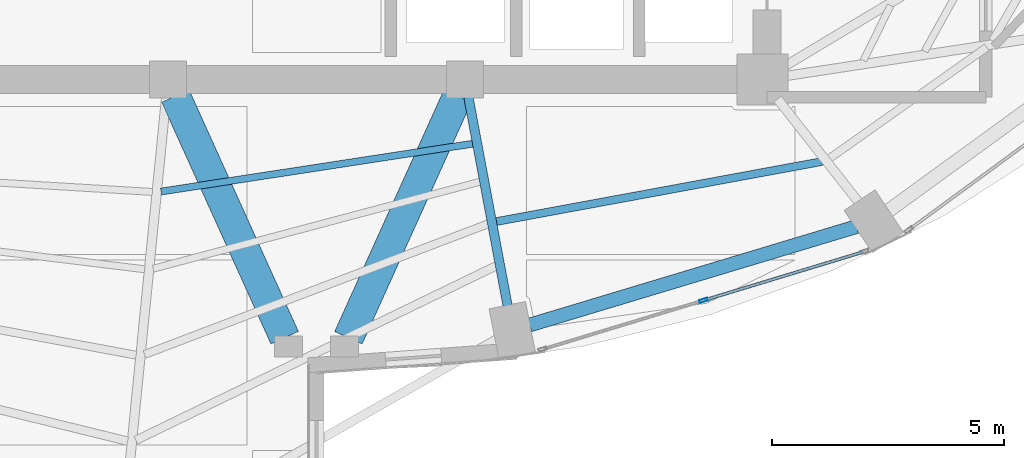
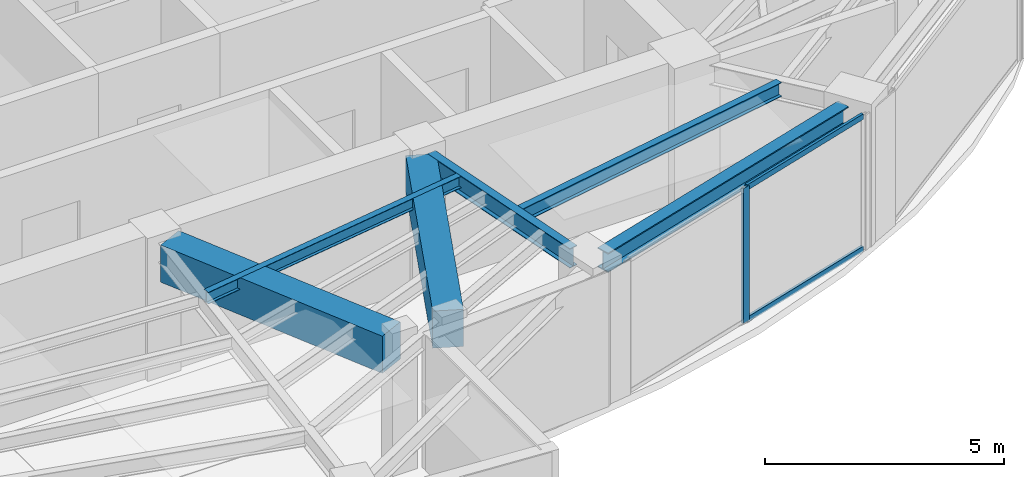
# One storey, part 7 of 22: 6 beams, 3 members, 1 element without a shape of its own.
"""IFC4 building model written with IfcOpenShell, lengths in metres."""

from ifc_helpers import new_model, si_unit, direction, frame, origin, origin_2d, place, context, subcontext, project, spatial, rectangle, hollow_rectangle, i_section, extrude, material, layer, layer_set, material_profile, profile_set, type_object, element, aggregate, save


model = new_model("IFC4")

# Units and contexts
model_context = context("Model", 3, precision=1e-05, world=origin(), true_north=direction((0.0, 1.0)))
body_context = subcontext(model_context, "Body", "Model", "MODEL_VIEW")
ifc_project = project(units=[si_unit("LENGTHUNIT", "METRE"), si_unit("AREAUNIT", "SQUARE_METRE"), si_unit("VOLUMEUNIT", "CUBIC_METRE"), si_unit("PLANEANGLEUNIT", "RADIAN"), si_unit("MASSUNIT", "GRAM", prefix="KILO")], contexts=[model_context])

# Site, building, storey
site_placement = place(None, origin())
site = spatial("IfcSite", under=ifc_project, at=site_placement, CompositionType="ELEMENT")
building_placement = place(site_placement, origin())
building = spatial("IfcBuilding", under=site, at=building_placement, Name="Lazwardi Medical Tower", CompositionType="ELEMENT")
storey_placement = place(building_placement, frame((0.0, 0.0, 227.6640625)))
storey = spatial("IfcBuildingStorey", under=building, at=storey_placement, Name="L59", CompositionType="ELEMENT", Elevation=227.6640625)

# Beams
ifc_material_1 = material(Name="Concrete C60/75", Category="concrete")
ifc_material_profile_1 = material_profile(ifc_material_1, rectangle(XDim=0.64990234375, YDim=0.949951171875, at=origin_2d()), Name="RC 650x950")
ifc_profile_set_1 = profile_set([ifc_material_profile_1], Name="Concrete C60/75")
beam_type_1 = type_object("IfcBeamType", Name="BM-CB-RC2", PredefinedType="LINTEL", material=ifc_profile_set_1)
for number, where, z_axis, x_axis, name in (
    (1, (32.95849609375, 20.04931640625, 2.972900390625), (0.412019279944, -0.911175127489, 0.0), (0.911175127489, 0.412019279944, 0.0), "Core coupling lintel CB-02 PL3 L59"),
    (2, (39.04150390625, 20.04931640625, 2.972900390625), (-0.412019279944, -0.911175127489, 0.0), (0.911175127489, -0.412019279944, 0.0), "Core coupling lintel CB-02 PL4 L59"),
):
    element("IfcBeam", number, at=place(storey_placement, frame(where, z_axis=z_axis, x_axis=x_axis)), inside=storey, type_object=beam_type_1, Name=name, PredefinedType="LINTEL", context=body_context, shape_type="SweptSolid", body=[
        extrude(rectangle(XDim=0.64990234375, YDim=0.949951171875, at=origin_2d()), origin(), (0.0, 0.0, 1.0), 5.7158203125),
    ])
ifc_material_2 = material(Name="Steel S355", Category="steel")
ifc_material_profile_2 = material_profile(ifc_material_2, i_section(OverallWidth=0.300048828125, OverallDepth=0.5, WebThickness=0.014404296875, FlangeThickness=0.028076171875, at=origin_2d()), Name="HEB 500")
ifc_profile_set_2 = profile_set([ifc_material_profile_2], Name="Steel S355")
beam_type_2 = type_object("IfcBeamType", Name="BM-RB-Z4", PredefinedType="BEAM", material=ifc_profile_set_2)
beam_1_placement = place(storey_placement, frame((40.58740234375, 15.114013671875, 3.197998046875), z_axis=(0.957544311906, 0.288286126506, 0.0), x_axis=(-0.288286126506, 0.957544311906, 0.0)))
element("IfcBeam", 3, at=beam_1_placement, inside=storey, type_object=beam_type_2, Name="Ring beam RB-05 B01 L59", PredefinedType="BEAM", context=body_context, shape_type="SweptSolid", body=[
    extrude(i_section(OverallWidth=0.300048828125, OverallDepth=0.5, WebThickness=0.014404296875, FlangeThickness=0.028076171875, at=origin_2d()), origin(), (0.0, 0.0, 1.0), 7.3515625),
])
ifc_material_profile_3 = material_profile(ifc_material_2, i_section(OverallWidth=0.199951171875, OverallDepth=0.5, WebThickness=0.01025390625, FlangeThickness=0.01611328125, at=origin_2d()), Name="IPE 500")
ifc_profile_set_3 = profile_set([ifc_material_profile_3], Name="Steel S355")
beam_type_3 = type_object("IfcBeamType", Name="BM-RG-W3", PredefinedType="BEAM", material=ifc_profile_set_3)
beam_2_placement = place(storey_placement, frame((40.115234375, 15.527587890625, 3.197998046875), z_axis=(-0.184633463507, 0.982807450192, 0.0), x_axis=(-0.982807450192, -0.184633463507, 0.0)))
element("IfcBeam", 4, at=beam_2_placement, inside=storey, type_object=beam_type_3, Name="Radial girder RG-04 R01 L59", PredefinedType="BEAM", context=body_context, shape_type="SweptSolid", body=[
    extrude(i_section(OverallWidth=0.199951171875, OverallDepth=0.5, WebThickness=0.01025390625, FlangeThickness=0.01611328125, at=origin_2d()), origin(), (0.0, 0.0, 1.0), 4.572509765625),
])
ifc_material_profile_4 = material_profile(ifc_material_2, i_section(OverallWidth=0.169921875, OverallDepth=0.360107421875, WebThickness=0.008056640625, FlangeThickness=0.0126953125, at=origin_2d()), Name="IPE 360")
ifc_profile_set_4 = profile_set([ifc_material_profile_4], Name="Steel S355")
beam_type_4 = type_object("IfcBeamType", Name="BM-SJ-02", PredefinedType="JOIST", material=ifc_profile_set_4)
beam_3_placement = place(storey_placement, frame((39.87109375, 17.34228515625, 3.267822265625), z_axis=(0.983427965623, 0.181299300688, 0.0), x_axis=(-0.181299300688, 0.983427965623, 0.0)))
element("IfcBeam", 5, at=beam_3_placement, inside=storey, type_object=beam_type_4, Name="Secondary joist SJ-02 R2 B01 L59", PredefinedType="JOIST", context=body_context, shape_type="SweptSolid", body=[
    extrude(i_section(OverallWidth=0.169921875, OverallDepth=0.360107421875, WebThickness=0.008056640625, FlangeThickness=0.0126953125, at=origin_2d()), origin(), (0.0, 0.0, 1.0), 7.127685546875),
])
ifc_material_profile_5 = material_profile(ifc_material_2, i_section(OverallWidth=0.14990234375, OverallDepth=0.300048828125, WebThickness=0.007080078125, FlangeThickness=0.0107421875, at=origin_2d()), Name="IPE 300")
ifc_profile_set_5 = profile_set([ifc_material_profile_5], Name="Steel S355")
beam_type_5 = type_object("IfcBeamType", Name="BM-SJ-03", PredefinedType="JOIST", material=ifc_profile_set_5)
beam_4_placement = place(storey_placement, frame((32.652587890625, 17.989013671875, 3.2978515625), z_axis=(0.988433562862, 0.151654514629, 0.0), x_axis=(-0.151654514629, 0.988433562862, 0.0)))
element("IfcBeam", 6, at=beam_4_placement, inside=storey, type_object=beam_type_5, Name="Secondary joist SJ-03 R4 B16 L59", PredefinedType="JOIST", context=body_context, shape_type="SweptSolid", body=[
    extrude(i_section(OverallWidth=0.14990234375, OverallDepth=0.300048828125, WebThickness=0.007080078125, FlangeThickness=0.0107421875, at=origin_2d()), origin(), (0.0, 0.0, 1.0), 6.788818359375),
])

# Curtain wall, members
ifc_material_3 = material(Name="Anodised bronze aluminium and solar control glazing", Category="aluminium")
ifc_layer = layer(ifc_material_3, 0.18994140625)
ifc_layer_set = layer_set([ifc_layer], Name="Anodised bronze aluminium and solar control glazing")
curtain_wall_type = type_object("IfcCurtainWallType", Name="CW-SYS-04", PredefinedType="NOTDEFINED", material=ifc_layer_set)
curtain_wall_placement = place(storey_placement, origin())
curtain_wall = element("IfcCurtainWall", 7, at=curtain_wall_placement, inside=storey, type_object=curtain_wall_type, Name="L59 Unitised bronze curtain wall CW-04", PredefinedType="NOTDEFINED")
ifc_material_4 = material(Name="Anodised bronze aluminium", Category="aluminium")
ifc_material_profile_6 = material_profile(ifc_material_4, hollow_rectangle(XDim=0.06494140625, YDim=0.179931640625, WallThickness=0.00390625, at=origin_2d()), Name="ALU-MULLION 180x65x4")
ifc_profile_set_6 = profile_set([ifc_material_profile_6], Name="Anodised bronze aluminium")
member_type_1 = type_object("IfcMemberType", Name="CW-MUL-03", PredefinedType="MULLION", material=ifc_profile_set_6)
member_1_placement = place(storey_placement, frame((44.33642578125, 15.644775390625, 0.0), z_axis=(0.0, 0.0, 1.0), x_axis=(-0.290581889515, 0.956850126972, 0.0)))
member_1 = element("IfcMember", 8, at=member_1_placement, type_object=member_type_1, Name="CW-04 mullion 2", PredefinedType="MULLION", context=body_context, shape_type="SweptSolid", body=[
    extrude(hollow_rectangle(XDim=0.06494140625, YDim=0.179931640625, WallThickness=0.00390625, at=origin_2d()), origin(), (0.0, 0.0, 1.0), 3.447998046875),
])
ifc_material_profile_7 = material_profile(ifc_material_4, hollow_rectangle(XDim=0.06494140625, YDim=0.139892578125, WallThickness=0.00341796875, at=origin_2d()), Name="ALU-TRANSOM 140x65x3.5")
ifc_profile_set_7 = profile_set([ifc_material_profile_7], Name="Anodised bronze aluminium")
member_type_2 = type_object("IfcMemberType", Name="CW-TRN-03", PredefinedType="USERDEFINED", material=ifc_profile_set_7)
member_2_placement = place(storey_placement, frame((44.367431640625, 15.654052734375, 0.032470703125), z_axis=(0.956843409009, 0.290604010015, 0.0), x_axis=(-0.290604010015, 0.956843409009, 0.0)))
member_2 = element("IfcMember", 9, at=member_2_placement, type_object=member_type_2, Name="CW-04 transom 2.1", ObjectType="TRANSOM", PredefinedType="USERDEFINED", context=body_context, shape_type="SweptSolid", body=[
    extrude(hollow_rectangle(XDim=0.06494140625, YDim=0.139892578125, WallThickness=0.00341796875, at=origin_2d()), origin(), (0.0, 0.0, 1.0), 3.554443359375),
])
member_3_placement = place(storey_placement, frame((44.367431640625, 15.654052734375, 3.41552734375), z_axis=(0.956843409009, 0.290604010015, 0.0), x_axis=(-0.290604010015, 0.956843409009, 0.0)))
member_3 = element("IfcMember", 10, at=member_3_placement, type_object=member_type_2, Name="CW-04 transom 2.2", ObjectType="TRANSOM", PredefinedType="USERDEFINED", context=body_context, shape_type="SweptSolid", body=[
    extrude(hollow_rectangle(XDim=0.06494140625, YDim=0.139892578125, WallThickness=0.00341796875, at=origin_2d()), origin(), (0.0, 0.0, 1.0), 3.554443359375),
])
aggregate(curtain_wall, [member_1, member_2, member_3])

save(model, "model.ifc")
